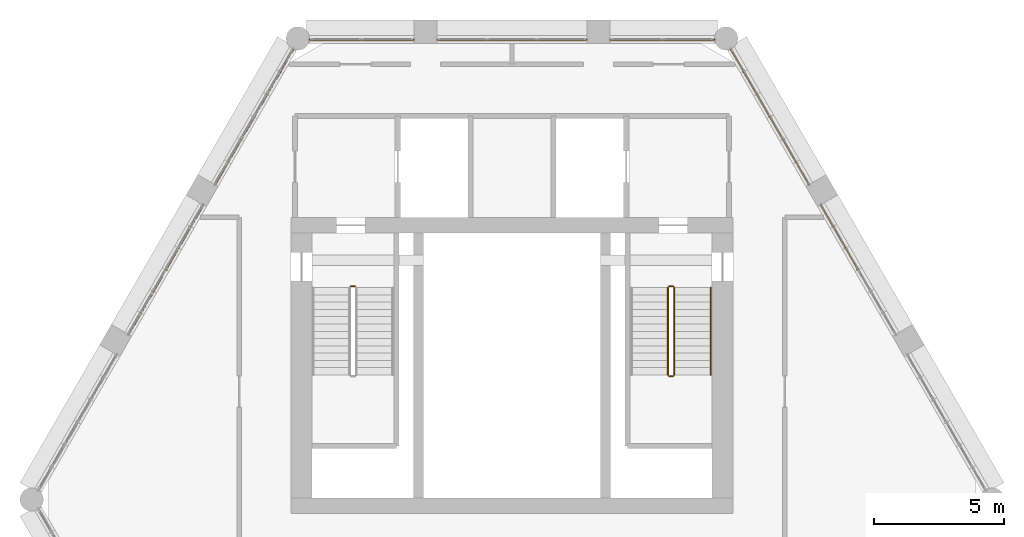
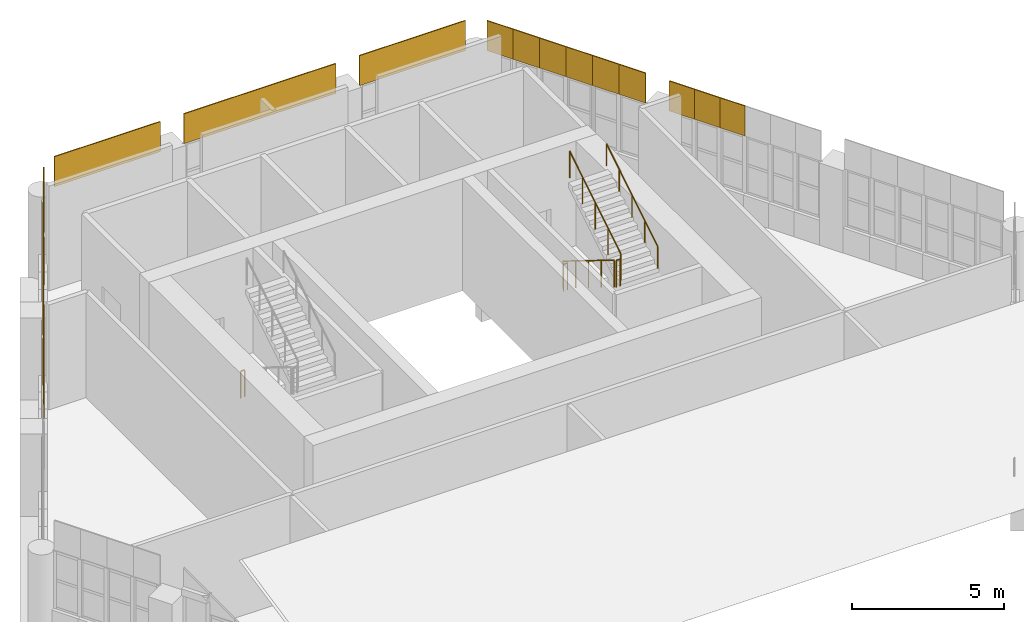
# One storey, part 22 of 23: 24 coverings, 6 railings.
"""IFC4 building model written with IfcOpenShell, lengths in metres."""

from ifc_helpers import new_model, si_unit, direction, frame, origin, origin_2d, place, context, subcontext, project, spatial, polyline, circle, outline, extrude, material, layer, layer_set, type_object, element, save


model = new_model("IFC4")

# Units and contexts
model_context = context("Model", 3, precision=1e-05, world=origin(), true_north=direction((0.0, 1.0)))
body_context = subcontext(model_context, "Body", "Model", "MODEL_VIEW")
ifc_project = project(units=[si_unit("LENGTHUNIT", "METRE"), si_unit("AREAUNIT", "SQUARE_METRE"), si_unit("VOLUMEUNIT", "CUBIC_METRE"), si_unit("PLANEANGLEUNIT", "RADIAN"), si_unit("MASSUNIT", "GRAM", prefix="KILO")], contexts=[model_context])

# Site, building, storey
site_placement = place(None, origin())
site = spatial("IfcSite", under=ifc_project, at=site_placement, CompositionType="ELEMENT")
building_placement = place(site_placement, origin())
building = spatial("IfcBuilding", under=site, at=building_placement, Name="Ostrander Bayou Hotel Tower", CompositionType="ELEMENT")
storey_placement = place(building_placement, frame((0.0, 0.0, 279.5)))
storey = spatial("IfcBuildingStorey", under=building, at=storey_placement, Name="L69", CompositionType="ELEMENT", Elevation=279.5)

# Coverings
ifc_material_1 = material(Name="Reconstituted stone panels", Category="masonry")
ifc_layer = layer(ifc_material_1, 0.0400390625)
ifc_layer_set = layer_set([ifc_layer], Name="CV3 crown cladding 40 mm")
covering_type = type_object("IfcCoveringType", Name="CV3 crown cladding 40 mm", PredefinedType="CLADDING", material=ifc_layer_set)
covering_1_placement = place(storey_placement, frame((7.7958984375, 16.550048828125, 3.300048828125), z_axis=(0.0, 1.0, 0.0), x_axis=(-1.0, 0.0, 0.0)))
element("IfcCovering", 1, at=covering_1_placement, inside=storey, type_object=covering_type, Name="CV3 crown fascia L69", PredefinedType="CLADDING", context=body_context, shape_type="SweptSolid", body=[
    extrude(outline(polyline([(0.0, 0.0), (4.0166015625, 0.0), (4.0166015625, 1.199951171875), (0.0, 1.199951171875), (0.0, 0.0)])), origin(), (0.0, 0.0, -1.0), 0.0400390625),
])
covering_2_placement = place(storey_placement, frame((2.87939453125, 16.550048828125, 3.300048828125), z_axis=(0.0, 1.0, 0.0), x_axis=(-1.0, 0.0, 0.0)))
element("IfcCovering", 2, at=covering_2_placement, inside=storey, type_object=covering_type, Name="CV3 crown fascia L69", PredefinedType="CLADDING", context=body_context, shape_type="SweptSolid", body=[
    extrude(outline(polyline([(0.0, 0.0), (5.7587890625, 0.0), (5.7587890625, 1.199951171875), (0.0, 1.199951171875), (0.0, 0.0)])), origin(), (0.0, 0.0, -1.0), 0.0400390625),
])
covering_3_placement = place(storey_placement, frame((-3.779296875, 16.550048828125, 3.300048828125), z_axis=(0.0, 1.0, 0.0), x_axis=(-1.0, 0.0, 0.0)))
element("IfcCovering", 3, at=covering_3_placement, inside=storey, type_object=covering_type, Name="CV3 crown fascia L69", PredefinedType="CLADDING", context=body_context, shape_type="SweptSolid", body=[
    extrude(outline(polyline([(0.0, 0.0), (4.0166015625, 0.0), (4.0166015625, 1.199951171875), (0.0, 1.199951171875), (0.0, 0.0)])), origin(), (0.0, 0.0, -1.0), 0.0400390625),
])
covering_4_placement = place(storey_placement, frame((-8.431884765625, 16.182373046875, 3.300048828125), z_axis=(-0.865942374699, 0.500143783026, 0.0), x_axis=(-0.500143783026, -0.865942374699, 0.0)))
element("IfcCovering", 4, at=covering_4_placement, inside=storey, type_object=covering_type, Name="CV3 crown fascia L69", PredefinedType="CLADDING", context=body_context, shape_type="SweptSolid", body=[
    extrude(outline(polyline([(0.0, 0.0), (1.0031295027587228, 0.0), (1.0031295027587228, 1.1999511718750002), (0.0, 1.1999511718750002), (0.0, 0.0)])), origin(), (0.0, 0.0, -1.0), 0.0400390625),
])
covering_5_placement = place(storey_placement, frame((-8.93359375, 15.313720703125, 3.300048828125), z_axis=(-0.8660032352, 0.500038395149, 0.0), x_axis=(-0.500038395149, -0.8660032352, 0.0)))
element("IfcCovering", 5, at=covering_5_placement, inside=storey, type_object=covering_type, Name="CV3 crown fascia L69", PredefinedType="CLADDING", context=body_context, shape_type="SweptSolid", body=[
    extrude(outline(polyline([(0.0, 0.0), (1.003340921901339, 0.0), (1.003340921901339, 1.199951171875), (0.0, 1.199951171875), (0.0, 0.0)])), origin(), (0.0, 0.0, -1.0), 0.0400390625),
])
covering_6_placement = place(storey_placement, frame((-9.435302734375, 14.44482421875, 3.300048828125), z_axis=(-0.866047774678, 0.499961250474, 0.0), x_axis=(-0.499961250474, -0.866047774678, 0.0)))
element("IfcCovering", 6, at=covering_6_placement, inside=storey, type_object=covering_type, Name="CV3 crown fascia L69", PredefinedType="CLADDING", context=body_context, shape_type="SweptSolid", body=[
    extrude(outline(polyline([(0.0, 0.0), (1.0030074196233945, 0.0), (1.0030074196233945, 1.199951171875), (0.0, 1.199951171875), (0.0, 0.0)])), origin(), (0.0, 0.0, -1.0), 0.0400390625),
])
covering_7_placement = place(storey_placement, frame((-9.936767578125, 13.576171875, 3.300048828125), z_axis=(-0.866108598161, 0.499855875421, 0.0), x_axis=(-0.499855875421, -0.866108598161, 0.0)))
element("IfcCovering", 7, at=covering_7_placement, inside=storey, type_object=covering_type, Name="CV3 crown fascia L69", PredefinedType="CLADDING", context=body_context, shape_type="SweptSolid", body=[
    extrude(outline(polyline([(0.0, 0.0), (1.0032188644939084, 0.0), (1.0032188644939084, 1.1999511718750002), (0.0, 1.1999511718750002), (0.0, 0.0)])), origin(), (0.0, 0.0, -1.0), 0.0400390625),
])
covering_8_placement = place(storey_placement, frame((-10.438232421875, 12.707275390625, 3.300048828125), z_axis=(-0.865942374699, 0.500143783026, 0.0), x_axis=(-0.500143783026, -0.865942374699, 0.0)))
element("IfcCovering", 8, at=covering_8_placement, inside=storey, type_object=covering_type, Name="CV3 crown fascia L69", PredefinedType="CLADDING", context=body_context, shape_type="SweptSolid", body=[
    extrude(outline(polyline([(0.0, 0.0), (1.0031295027587228, 0.0), (1.0031295027587228, 1.1999511718750002), (0.0, 1.1999511718750002), (0.0, 0.0)])), origin(), (0.0, 0.0, -1.0), 0.0400390625),
])
covering_9_placement = place(storey_placement, frame((-10.93994140625, 11.838623046875, 3.300048828125), z_axis=(-0.866108598161, 0.499855875421, 0.0), x_axis=(-0.499855875421, -0.866108598161, 0.0)))
element("IfcCovering", 9, at=covering_9_placement, inside=storey, type_object=covering_type, Name="CV3 crown fascia L69", PredefinedType="CLADDING", context=body_context, shape_type="SweptSolid", body=[
    extrude(outline(polyline([(0.0, 0.0), (1.0032188644939084, 0.0), (1.0032188644939084, 1.1999511718750002), (0.0, 1.1999511718750002), (0.0, 0.0)])), origin(), (0.0, 0.0, -1.0), 0.0400390625),
])
covering_10_placement = place(storey_placement, frame((-11.8916015625, 10.1904296875, 3.300048828125), z_axis=(-0.866122057702, 0.499832553123, 0.0), x_axis=(-0.499832553123, -0.866122057702, 0.0)))
element("IfcCovering", 10, at=covering_10_placement, inside=storey, type_object=covering_type, Name="CV3 crown fascia L69", PredefinedType="CLADDING", context=body_context, shape_type="SweptSolid", body=[
    extrude(outline(polyline([(0.0, 0.0), (0.9597940852937448, 0.0), (0.9597940852937448, 1.199951171875), (0.0, 1.199951171875), (0.0, 0.0)])), origin(), (0.0, 0.0, -1.0), 0.0400390625),
])
covering_11_placement = place(storey_placement, frame((-12.371337890625, 9.359130859375, 3.300048828125), z_axis=(-0.865948320045, 0.500133489192, 0.0), x_axis=(-0.500133489192, -0.865948320045, 0.0)))
element("IfcCovering", 11, at=covering_11_placement, inside=storey, type_object=covering_type, Name="CV3 crown fascia L69", PredefinedType="CLADDING", context=body_context, shape_type="SweptSolid", body=[
    extrude(outline(polyline([(0.0, 0.0), (0.9597047170860381, 0.0), (0.9597047170860381, 1.199951171875), (0.0, 1.199951171875), (0.0, 0.0)])), origin(), (0.0, 0.0, -1.0), 0.0400390625),
])
covering_12_placement = place(storey_placement, frame((-12.851318359375, 8.528076171875, 3.300048828125), z_axis=(-0.866011930837, 0.500023335103, 0.0), x_axis=(-0.500023335103, -0.866011930837, 0.0)))
element("IfcCovering", 12, at=covering_12_placement, inside=storey, type_object=covering_type, Name="CV3 crown fascia L69", PredefinedType="CLADDING", context=body_context, shape_type="SweptSolid", body=[
    extrude(outline(polyline([(0.0, 0.0), (0.9599161380159561, 0.0), (0.9599161380159561, 1.199951171875), (0.0, 1.199951171875), (0.0, 0.0)])), origin(), (0.0, 0.0, -1.0), 0.0400390625),
])
covering_13_placement = place(storey_placement, frame((-13.331298828125, 7.69677734375, 3.300048828125), z_axis=(-0.866122057702, 0.499832553123, 0.0), x_axis=(-0.499832553123, -0.866122057702, 0.0)))
element("IfcCovering", 13, at=covering_13_placement, inside=storey, type_object=covering_type, Name="CV3 crown fascia L69", PredefinedType="CLADDING", context=body_context, shape_type="SweptSolid", body=[
    extrude(outline(polyline([(0.0, 0.0), (0.9597940852937448, 0.0), (0.9597940852937448, 1.199951171875), (0.0, 1.199951171875), (0.0, 0.0)])), origin(), (0.0, 0.0, -1.0), 0.0400390625),
])
covering_14_placement = place(storey_placement, frame((-13.81103515625, 6.865478515625, 3.300048828125), z_axis=(-0.866011930837, 0.500023335103, 0.0), x_axis=(-0.500023335103, -0.866011930837, 0.0)))
element("IfcCovering", 14, at=covering_14_placement, inside=storey, type_object=covering_type, Name="CV3 crown fascia L69", PredefinedType="CLADDING", context=body_context, shape_type="SweptSolid", body=[
    extrude(outline(polyline([(0.0, 0.0), (0.9599161380159561, 0.0), (0.9599161380159561, 1.199951171875), (0.0, 1.199951171875), (0.0, 0.0)])), origin(), (0.0, 0.0, -1.0), 0.0400390625),
])
covering_15_placement = place(storey_placement, frame((-14.291015625, 6.0341796875, 3.300048828125), z_axis=(-0.865948320045, 0.500133489192, 0.0), x_axis=(-0.500133489192, -0.865948320045, 0.0)))
element("IfcCovering", 15, at=covering_15_placement, inside=storey, type_object=covering_type, Name="CV3 crown fascia L69", PredefinedType="CLADDING", context=body_context, shape_type="SweptSolid", body=[
    extrude(outline(polyline([(0.0, 0.0), (0.9597047170860381, 0.0), (0.9597047170860381, 1.199951171875), (0.0, 1.199951171875), (0.0, 0.0)])), origin(), (0.0, 0.0, -1.0), 0.0400390625),
])
covering_16_placement = place(storey_placement, frame((13.331298828125, 7.69677734375, 3.300048828125), z_axis=(0.866011930837, 0.500023335103, 0.0), x_axis=(-0.500023335103, 0.866011930837, 0.0)))
element("IfcCovering", 16, at=covering_16_placement, inside=storey, type_object=covering_type, Name="CV3 crown fascia L69", PredefinedType="CLADDING", context=body_context, shape_type="SweptSolid", body=[
    extrude(outline(polyline([(0.0, 0.0), (0.9599161380159561, 0.0), (0.9599161380159561, 1.199951171875), (0.0, 1.199951171875), (0.0, 0.0)])), origin(), (0.0, 0.0, -1.0), 0.0400390625),
])
covering_17_placement = place(storey_placement, frame((12.851318359375, 8.528076171875, 3.300048828125), z_axis=(0.865948320045, 0.500133489192, 0.0), x_axis=(-0.500133489192, 0.865948320045, 0.0)))
element("IfcCovering", 17, at=covering_17_placement, inside=storey, type_object=covering_type, Name="CV3 crown fascia L69", PredefinedType="CLADDING", context=body_context, shape_type="SweptSolid", body=[
    extrude(outline(polyline([(0.0, 0.0), (0.9597047170860381, 0.0), (0.9597047170860381, 1.199951171875), (0.0, 1.199951171875), (0.0, 0.0)])), origin(), (0.0, 0.0, -1.0), 0.0400390625),
])
covering_18_placement = place(storey_placement, frame((12.371337890625, 9.359130859375, 3.300048828125), z_axis=(0.866122057702, 0.499832553123, 0.0), x_axis=(-0.499832553123, 0.866122057702, 0.0)))
element("IfcCovering", 18, at=covering_18_placement, inside=storey, type_object=covering_type, Name="CV3 crown fascia L69", PredefinedType="CLADDING", context=body_context, shape_type="SweptSolid", body=[
    extrude(outline(polyline([(0.0, 0.0), (0.9597940852937448, 0.0), (0.9597940852937448, 1.199951171875), (0.0, 1.199951171875), (0.0, 0.0)])), origin(), (0.0, 0.0, -1.0), 0.0400390625),
])
covering_19_placement = place(storey_placement, frame((11.44140625, 10.9697265625, 3.300048828125), z_axis=(0.866108598161, 0.499855875421, 0.0), x_axis=(-0.499855875421, 0.866108598161, 0.0)))
element("IfcCovering", 19, at=covering_19_placement, inside=storey, type_object=covering_type, Name="CV3 crown fascia L69", PredefinedType="CLADDING", context=body_context, shape_type="SweptSolid", body=[
    extrude(outline(polyline([(0.0, 0.0), (1.0032188644939084, 0.0), (1.0032188644939084, 1.1999511718750002), (0.0, 1.1999511718750002), (0.0, 0.0)])), origin(), (0.0, 0.0, -1.0), 0.0400390625),
])
covering_20_placement = place(storey_placement, frame((10.93994140625, 11.838623046875, 3.300048828125), z_axis=(0.865942374699, 0.500143783026, 0.0), x_axis=(-0.500143783026, 0.865942374699, 0.0)))
element("IfcCovering", 20, at=covering_20_placement, inside=storey, type_object=covering_type, Name="CV3 crown fascia L69", PredefinedType="CLADDING", context=body_context, shape_type="SweptSolid", body=[
    extrude(outline(polyline([(0.0, 0.0), (1.0031295027587228, 0.0), (1.0031295027587228, 1.1999511718750002), (0.0, 1.1999511718750002), (0.0, 0.0)])), origin(), (0.0, 0.0, -1.0), 0.0400390625),
])
covering_21_placement = place(storey_placement, frame((10.438232421875, 12.707275390625, 3.300048828125), z_axis=(0.866108598161, 0.499855875421, 0.0), x_axis=(-0.499855875421, 0.866108598161, 0.0)))
element("IfcCovering", 21, at=covering_21_placement, inside=storey, type_object=covering_type, Name="CV3 crown fascia L69", PredefinedType="CLADDING", context=body_context, shape_type="SweptSolid", body=[
    extrude(outline(polyline([(0.0, 0.0), (1.0032188644939084, 0.0), (1.0032188644939084, 1.1999511718750002), (0.0, 1.1999511718750002), (0.0, 0.0)])), origin(), (0.0, 0.0, -1.0), 0.0400390625),
])
covering_22_placement = place(storey_placement, frame((9.936767578125, 13.576171875, 3.300048828125), z_axis=(0.866047774678, 0.499961250474, 0.0), x_axis=(-0.499961250474, 0.866047774678, 0.0)))
element("IfcCovering", 22, at=covering_22_placement, inside=storey, type_object=covering_type, Name="CV3 crown fascia L69", PredefinedType="CLADDING", context=body_context, shape_type="SweptSolid", body=[
    extrude(outline(polyline([(0.0, 0.0), (1.0030074196233945, 0.0), (1.0030074196233945, 1.199951171875), (0.0, 1.199951171875), (0.0, 0.0)])), origin(), (0.0, 0.0, -1.0), 0.0400390625),
])
covering_23_placement = place(storey_placement, frame((9.435302734375, 14.44482421875, 3.300048828125), z_axis=(0.8660032352, 0.500038395149, 0.0), x_axis=(-0.500038395149, 0.8660032352, 0.0)))
element("IfcCovering", 23, at=covering_23_placement, inside=storey, type_object=covering_type, Name="CV3 crown fascia L69", PredefinedType="CLADDING", context=body_context, shape_type="SweptSolid", body=[
    extrude(outline(polyline([(0.0, 0.0), (1.003340921901339, 0.0), (1.003340921901339, 1.199951171875), (0.0, 1.199951171875), (0.0, 0.0)])), origin(), (0.0, 0.0, -1.0), 0.0400390625),
])
covering_24_placement = place(storey_placement, frame((8.93359375, 15.313720703125, 3.300048828125), z_axis=(0.865942374699, 0.500143783026, 0.0), x_axis=(-0.500143783026, 0.865942374699, 0.0)))
element("IfcCovering", 24, at=covering_24_placement, inside=storey, type_object=covering_type, Name="CV3 crown fascia L69", PredefinedType="CLADDING", context=body_context, shape_type="SweptSolid", body=[
    extrude(outline(polyline([(0.0, 0.0), (1.0031295027587228, 0.0), (1.0031295027587228, 1.1999511718750002), (0.0, 1.1999511718750002), (0.0, 0.0)])), origin(), (0.0, 0.0, -1.0), 0.0400390625),
])

# Railings
ifc_material_2 = material(Name="Steel ASTM A500 Gr C", Category="steel")
railing_type_1 = type_object("IfcRailingType", Name="GR1 stair guard 1100 mm steel", PredefinedType="GUARDRAIL", material=ifc_material_2)
railing_1_placement = place(storey_placement, frame((-6.199951171875, 7.050048828125, 0.0)))
element("IfcRailing", 25, at=railing_1_placement, inside=storey, type_object=railing_type_1, Name="L69 STA stair guard 4", PredefinedType="GUARDRAIL", context=body_context, shape_type="SweptSolid", body=[
    extrude(circle(Radius=0.02392578125, at=origin_2d()), frame((0.0, 0.0, 1.076171875), z_axis=(1.0, 0.0, 0.0), x_axis=(0.0, 1.0, 0.0)), (0.0, 0.0, 1.0), 0.14990234375),
    extrude(circle(Radius=0.02099609375, at=origin_2d()), origin(), (0.0, 0.0, 1.0), 1.052001953125),
    extrude(circle(Radius=0.02099609375, at=origin_2d()), frame((0.14990234375, 0.0, 0.0)), (0.0, 0.0, 1.0), 1.052001953125),
])
railing_2_placement = place(storey_placement, frame((6.0, 7.0, 0.173095703125)))
element("IfcRailing", 26, at=railing_2_placement, inside=storey, type_object=railing_type_1, Name="L69 STB stair guard 1", PredefinedType="GUARDRAIL", context=body_context, shape_type="SweptSolid", body=[
    extrude(circle(Radius=0.02392578125, at=origin_2d()), frame((0.0, 0.0, 1.076171875), z_axis=(0.0, -0.850623216509, 0.525775754039), x_axis=(1.0, 0.0, 0.0)), (0.0, 0.0, 1.0), 3.9501953125),
    extrude(circle(Radius=0.02099609375, at=origin_2d()), origin(), (0.0, 0.0, 1.0), 1.052001953125),
    extrude(circle(Radius=0.02099609375, at=origin_2d()), frame((0.0, -0.840087890625, 0.519287109375)), (0.0, 0.0, 1.0), 1.052001953125),
    extrude(circle(Radius=0.02099609375, at=origin_2d()), frame((0.0, -1.68017578125, 1.03857421875)), (0.0, 0.0, 1.0), 1.052001953125),
    extrude(circle(Radius=0.02099609375, at=origin_2d()), frame((0.0, -2.52001953125, 1.5576171875)), (0.0, 0.0, 1.0), 1.052001953125),
    extrude(circle(Radius=0.02099609375, at=origin_2d()), frame((0.0, -3.360107421875, 2.076904296875)), (0.0, 0.0, 1.0), 1.052001953125),
])
railing_3_placement = place(storey_placement, frame((6.050048828125, 3.590087890625, 2.25)))
element("IfcRailing", 27, at=railing_3_placement, inside=storey, type_object=railing_type_1, Name="L69 STB stair guard 2", PredefinedType="GUARDRAIL", context=body_context, shape_type="SweptSolid", body=[
    extrude(circle(Radius=0.02392578125, at=origin_2d()), frame((0.0, 0.0, 1.076171875), z_axis=(1.0, 0.0, 0.0), x_axis=(0.0, 1.0, 0.0)), (0.0, 0.0, 1.0), 0.14990234375),
    extrude(circle(Radius=0.02099609375, at=origin_2d()), origin(), (0.0, 0.0, 1.0), 1.052001953125),
    extrude(circle(Radius=0.02099609375, at=origin_2d()), frame((0.14990234375, 0.0, 0.0)), (0.0, 0.0, 1.0), 1.052001953125),
])
railing_4_placement = place(storey_placement, frame((6.25, 3.639892578125, 2.423095703125)))
element("IfcRailing", 28, at=railing_4_placement, inside=storey, type_object=railing_type_1, Name="L69 STB stair guard 3", PredefinedType="GUARDRAIL", context=body_context, shape_type="SweptSolid", body=[
    extrude(circle(Radius=0.02392578125, at=origin_2d()), frame((0.0, 0.0, 1.076171875), z_axis=(0.0, 0.850623216509, 0.525775754039), x_axis=(-1.0, 0.0, 0.0)), (0.0, 0.0, 1.0), 3.9501953125),
    extrude(circle(Radius=0.02099609375, at=origin_2d()), origin(), (0.0, 0.0, 1.0), 1.052001953125),
    extrude(circle(Radius=0.02099609375, at=origin_2d()), frame((0.0, 0.840087890625, 0.519287109375)), (0.0, 0.0, 1.0), 1.052001953125),
    extrude(circle(Radius=0.02099609375, at=origin_2d()), frame((0.0, 1.68017578125, 1.03857421875)), (0.0, 0.0, 1.0), 1.052001953125),
    extrude(circle(Radius=0.02099609375, at=origin_2d()), frame((0.0, 2.52001953125, 1.5576171875)), (0.0, 0.0, 1.0), 1.052001953125),
    extrude(circle(Radius=0.02099609375, at=origin_2d()), frame((0.0, 3.360107421875, 2.076904296875)), (0.0, 0.0, 1.0), 1.052001953125),
])
railing_5_placement = place(storey_placement, frame((6.050048828125, 7.050048828125, 0.0)))
element("IfcRailing", 29, at=railing_5_placement, inside=storey, type_object=railing_type_1, Name="L69 STB stair guard 4", PredefinedType="GUARDRAIL", context=body_context, shape_type="SweptSolid", body=[
    extrude(circle(Radius=0.02392578125, at=origin_2d()), frame((0.0, 0.0, 1.076171875), z_axis=(1.0, 0.0, 0.0), x_axis=(0.0, 1.0, 0.0)), (0.0, 0.0, 1.0), 0.14990234375),
    extrude(circle(Radius=0.02099609375, at=origin_2d()), origin(), (0.0, 0.0, 1.0), 1.052001953125),
    extrude(circle(Radius=0.02099609375, at=origin_2d()), frame((0.14990234375, 0.0, 0.0)), (0.0, 0.0, 1.0), 1.052001953125),
])
ifc_material_3 = material(Name="Steel ASTM A500 Gr C", Category="steel")
railing_type_2 = type_object("IfcRailingType", Name="HR1 stair handrail 900 mm steel", PredefinedType="HANDRAIL", material=ifc_material_3)
railing_6_placement = place(storey_placement, frame((7.64990234375, 3.639892578125, 2.423095703125)))
element("IfcRailing", 30, at=railing_6_placement, inside=storey, type_object=railing_type_2, Name="L69 STB stair handrail 2", PredefinedType="HANDRAIL", context=body_context, shape_type="SweptSolid", body=[
    extrude(circle(Radius=0.02392578125, at=origin_2d()), frame((0.0, 0.0, 0.8759765625), z_axis=(0.0, 0.850623216509, 0.525775754039), x_axis=(-1.0, 0.0, 0.0)), (0.0, 0.0, 1.0), 3.9501953125),
    extrude(circle(Radius=0.02099609375, at=origin_2d()), origin(), (0.0, 0.0, 1.0), 0.851806640625),
    extrude(circle(Radius=0.02099609375, at=origin_2d()), frame((0.0, 0.840087890625, 0.519287109375)), (0.0, 0.0, 1.0), 0.851806640625),
    extrude(circle(Radius=0.02099609375, at=origin_2d()), frame((0.0, 1.68017578125, 1.03857421875)), (0.0, 0.0, 1.0), 0.851806640625),
    extrude(circle(Radius=0.02099609375, at=origin_2d()), frame((0.0, 2.52001953125, 1.5576171875)), (0.0, 0.0, 1.0), 0.851806640625),
    extrude(circle(Radius=0.02099609375, at=origin_2d()), frame((0.0, 3.360107421875, 2.076904296875)), (0.0, 0.0, 1.0), 0.851806640625),
])

save(model, "model.ifc")
